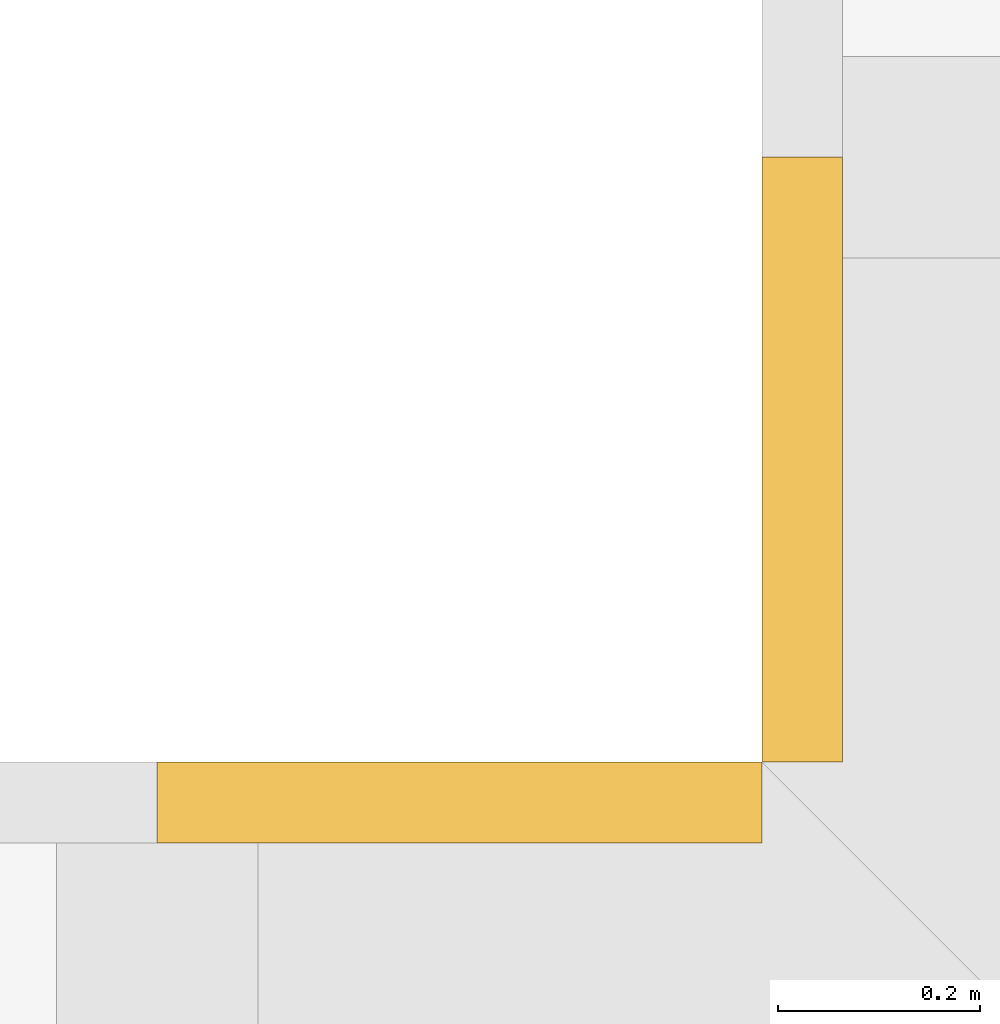
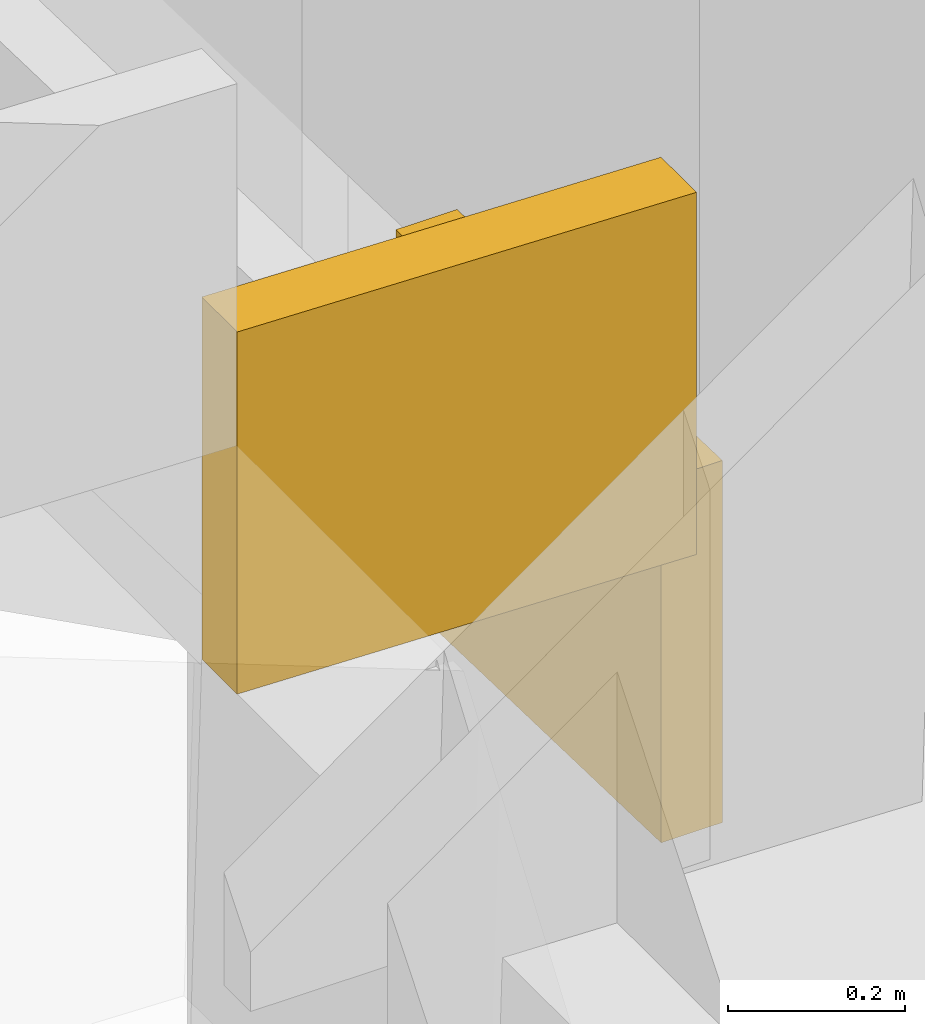
# One storey, part 29 of 30: 2 coverings.
"""IFC4 building model written with IfcOpenShell, lengths in metres."""

from ifc_helpers import new_model, si_unit, direction, frame, origin, place, context, subcontext, project, spatial, polyline, outline, extrude, material, layer, layer_set, type_object, element, save


model = new_model("IFC4")

# Units and contexts
model_context = context("Model", 3, precision=1e-05, world=origin(), true_north=direction((0.0, 1.0)))
body_context = subcontext(model_context, "Body", "Model", "MODEL_VIEW")
ifc_project = project(units=[si_unit("LENGTHUNIT", "METRE"), si_unit("AREAUNIT", "SQUARE_METRE"), si_unit("VOLUMEUNIT", "CUBIC_METRE"), si_unit("PLANEANGLEUNIT", "RADIAN"), si_unit("MASSUNIT", "GRAM", prefix="KILO")], contexts=[model_context])

# Site, building, storey
site_placement = place(None, origin())
site = spatial("IfcSite", under=ifc_project, at=site_placement, CompositionType="ELEMENT")
building_placement = place(site_placement, origin())
building = spatial("IfcBuilding", under=site, at=building_placement, Name="Saffron Gate Tower", CompositionType="ELEMENT")
storey_placement = place(building_placement, frame((0.0, 0.0, 69.60009765625)))
storey = spatial("IfcBuildingStorey", under=building, at=storey_placement, Name="L16", CompositionType="ELEMENT", Elevation=69.60009765625)

# Coverings
ifc_material = material(Name="Timber, thermally modified ash", Category="wood")
ifc_layer = layer(ifc_material, 0.080078125)
ifc_layer_set = layer_set([ifc_layer], Name="LD2 ledge planter trough")
covering_type = type_object("IfcCoveringType", Name="LD2 ledge planter trough", PredefinedType="CLADDING", material=ifc_layer_set)
covering_1_placement = place(storey_placement, frame((50.39990234375, 73.800048828125, 2.394775390625), z_axis=(-1.0, 0.0, 0.0), x_axis=(0.0, -0.999583081391, 0.028873229772)))
element("IfcCovering", 1, at=covering_1_placement, inside=storey, type_object=covering_type, Name="LEDGE planter trough", PredefinedType="CLADDING", context=body_context, shape_type="SweptSolid", body=[
    extrude(outline(polyline([(0.0, 0.0), (0.6003479524834376, -3.469446951953614e-18), (0.6147845673692678, 0.4997915406953566), (0.014436614885830073, 0.4997915406953566), (0.0, 0.0)])), origin(), (0.0, 0.0, -1.0), 0.080078125),
])
covering_2_placement = place(storey_placement, frame((50.39990234375, 73.199951171875, 2.85888671875), z_axis=(0.0, 1.0, 0.0), x_axis=(-0.999594406032, 0.0, 0.028478473106)))
element("IfcCovering", 2, at=covering_2_placement, inside=storey, type_object=covering_type, Name="LEDGE planter trough", PredefinedType="CLADDING", context=body_context, shape_type="SweptSolid", body=[
    extrude(outline(polyline([(0.0, 0.0), (0.6000969113127241, 0.0), (0.6143361478658799, 0.49979720301576647), (0.01423923655315574, 0.49979720301576647), (0.0, 0.0)])), origin(), (0.0, 0.0, -1.0), 0.080078125),
])

save(model, "model.ifc")
